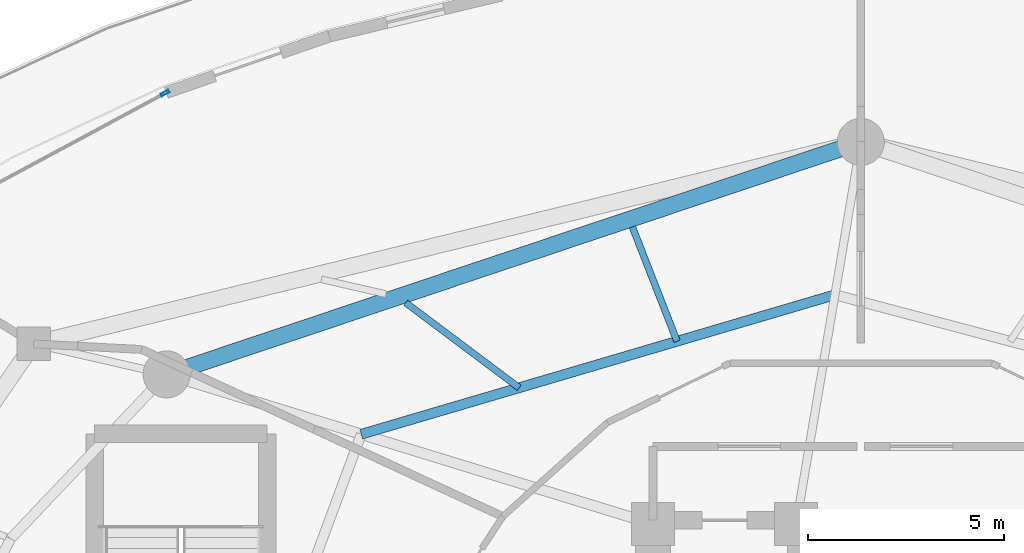
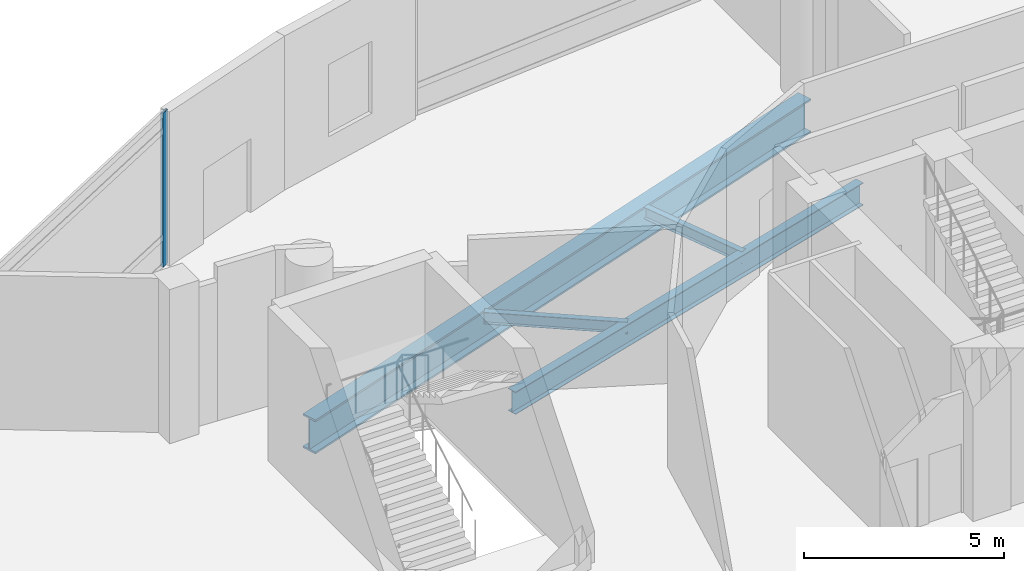
# One storey, part 16 of 36: 4 beams, 1 member, 1 element without a shape of its own.
"""IFC4 building model written with IfcOpenShell, lengths in metres."""

import ifcopenshell
import ifcopenshell.guid

model = None  # the IFC model being written
_history = None  # IfcOwnerHistory: only IFC2X3 demands one
_inside = {}  # id of a spatial element -> (the spatial element, [elements in it])
_under = {}  # id of a project, library or spatial element -> (it, [spatial elements below it])
_declared = {}  # id of a project -> (the project, [libraries it declares])
_typed = {}  # id of a type object -> (the type object, [elements of that type])
_made_of = {}  # id of a material, layer set ... -> (it, [elements and type objects made of it])


def new_model(schema):
    """Start an empty IFC model of exactly this schema.

    Asked for "IFC4X3", IfcOpenShell would pick the latest addendum, in which some entities
    have other attributes; the version numbers below select the first issue.
    IFC2X3 requires an IfcOwnerHistory on every rooted entity: one is made here for all.
    """
    global model, _history
    if schema == "IFC4X3":
        model = ifcopenshell.file(schema_version=(4, 3, 0, 0))
    else:
        model = ifcopenshell.file(schema=schema)
    _inside.clear()
    _under.clear()
    _declared.clear()
    _typed.clear()
    _made_of.clear()
    _history = None
    if model.schema == "IFC2X3":
        org = make("IfcOrganization", Name="unknown")
        user = make(
            "IfcPersonAndOrganization",
            ThePerson=make("IfcPerson", FamilyName="unknown"),
            TheOrganization=org,
        )
        app = make(
            "IfcApplication",
            ApplicationDeveloper=org,
            Version="unknown",
            ApplicationFullName="unknown",
            ApplicationIdentifier="unknown",
        )
        _history = make(
            "IfcOwnerHistory",
            OwningUser=user,
            OwningApplication=app,
            ChangeAction="ADDED",
            CreationDate=0,
        )
    return model


def make(cls, **values):
    """One entity of the class cls with the attributes given. An attribute that is None is left unset."""
    return model.create_entity(
        cls, **{name: value for name, value in values.items() if value is not None}
    )


def rooted(cls, **values):
    """An entity with a GlobalId (a new one), such as an element, a storey or a relation."""
    return make(cls, GlobalId=ifcopenshell.guid.new(), OwnerHistory=_history, **values)


def si_unit(unit_type, name, prefix=None):
    """IfcSIUnit, for example si_unit("LENGTHUNIT", "METRE", prefix="MILLI")."""
    return make("IfcSIUnit", UnitType=unit_type, Prefix=prefix, Name=name)


def assignment(units):
    """IfcUnitAssignment: the units of a project."""
    return None if units is None else make("IfcUnitAssignment", Units=units)


def point(xyz):
    """IfcCartesianPoint."""
    return None if xyz is None else make("IfcCartesianPoint", Coordinates=xyz)


def direction(xyz):
    """IfcDirection."""
    return None if xyz is None else make("IfcDirection", DirectionRatios=xyz)


def frame(location, z_axis=None, x_axis=None):
    """IfcAxis2Placement3D, a coordinate frame: its origin and axes. An axis left out is left unset."""
    return make(
        "IfcAxis2Placement3D",
        Location=point(location),
        Axis=direction(z_axis),
        RefDirection=direction(x_axis),
    )


def frame_2d(location, x_axis=None):
    """IfcAxis2Placement2D, a coordinate frame in the plane: its origin and x axis."""
    return make(
        "IfcAxis2Placement2D", Location=point(location), RefDirection=direction(x_axis)
    )


def origin():
    """The frame at (0, 0, 0) with its axes left unset."""
    return frame((0.0, 0.0, 0.0))


def origin_2d():
    """The frame at (0, 0) in the plane with its x axis left unset."""
    return frame_2d((0.0, 0.0))


def place(relative_to, where):
    """IfcLocalPlacement: puts the frame where relative to a parent placement (None: the world)."""
    return make(
        "IfcLocalPlacement", PlacementRelTo=relative_to, RelativePlacement=where
    )


def context(
    kind, dimensions, precision=None, world=None, true_north=None, identifier=None
):
    """IfcGeometricRepresentationContext, for example the 3D "Model" context."""
    return make(
        "IfcGeometricRepresentationContext",
        ContextIdentifier=identifier,
        ContextType=kind,
        CoordinateSpaceDimension=dimensions,
        Precision=precision,
        WorldCoordinateSystem=world,
        TrueNorth=true_north,
    )


def subcontext(parent, identifier, kind, view, scale=None):
    """IfcGeometricRepresentationSubContext, for example "Body" below "Model"."""
    return make(
        "IfcGeometricRepresentationSubContext",
        ContextIdentifier=identifier,
        ContextType=kind,
        ParentContext=parent,
        TargetScale=scale,
        TargetView=view,
    )


def project(units=None, contexts=None):
    """IfcProject with its units and contexts."""
    return rooted(
        "IfcProject",
        Name="project",
        RepresentationContexts=contexts,
        UnitsInContext=assignment(units),
    )


def spatial(cls, under=None, at=None, **own):
    """A site, building, storey or space (cls), placed at a placement, below another one or the project."""
    s = rooted(cls, ObjectPlacement=at, **own)
    if under is not None:
        _under.setdefault(under.id(), (under, []))[1].append(s)
    return s


def profile(cls, at=None, kind="AREA", **sizes):
    """A parametric profile (cls). Its sizes go by their IFC names, for example OverallWidth=200.0."""
    return make(cls, ProfileType=kind, Position=at, **sizes)


def hollow_rectangle(**sizes):
    """IfcRectangleHollowProfileDef."""
    return profile("IfcRectangleHollowProfileDef", **sizes)


def i_section(**sizes):
    """IfcIShapeProfileDef."""
    return profile("IfcIShapeProfileDef", **sizes)


def extrude(swept, where, along, depth):
    """IfcExtrudedAreaSolid: the profile swept, set in the frame where, extruded along a direction by depth."""
    return make(
        "IfcExtrudedAreaSolid",
        SweptArea=swept,
        Position=where,
        ExtrudedDirection=direction(along),
        Depth=depth,
    )


def shape(context_of_items, identifier, shape_type, items):
    """IfcShapeRepresentation: the items that make up one representation, for example the "Body"."""
    return make(
        "IfcShapeRepresentation",
        ContextOfItems=context_of_items,
        RepresentationIdentifier=identifier,
        RepresentationType=shape_type,
        Items=items,
    )


def material(Name=None, Category=None):
    """IfcMaterial."""
    return make("IfcMaterial", Name=Name, Category=Category)


def layer(
    of_material, thickness, ventilated=None, Name=None, Category=None, Priority=None
):
    """IfcMaterialLayer: one layer of a wall or slab, of a material (None: an air gap)."""
    return make(
        "IfcMaterialLayer",
        Material=of_material,
        LayerThickness=thickness,
        IsVentilated=ventilated,
        Name=Name,
        Category=Category,
        Priority=Priority,
    )


def layer_set(layers, Name=None):
    """IfcMaterialLayerSet."""
    return make("IfcMaterialLayerSet", MaterialLayers=layers, LayerSetName=Name)


def material_profile(
    of_material, cross_section, Name=None, Category=None, Priority=None
):
    """IfcMaterialProfile: a cross section and its material."""
    return make(
        "IfcMaterialProfile",
        Name=Name,
        Material=of_material,
        Profile=cross_section,
        Priority=Priority,
        Category=Category,
    )


def profile_set(profiles, Name=None, composite=None):
    """IfcMaterialProfileSet."""
    return make(
        "IfcMaterialProfileSet",
        Name=Name,
        MaterialProfiles=profiles,
        CompositeProfile=composite,
    )


def made_of(thing, what):
    """Note that an element or type object is made of a material, layer set ...; save() writes the relation."""
    if what is not None:
        _made_of.setdefault(what.id(), (what, []))[1].append(thing)
    return thing


def type_object(cls, material=None, **own):
    """A type object (cls), such as IfcWallType, which elements share."""
    return made_of(rooted(cls, **own), material)


def element(
    cls,
    number,
    at=None,
    inside=None,
    cuts=None,
    type_object=None,
    material=None,
    context=None,
    identifier="Body",
    shape_type=None,
    held_by="IfcProductDefinitionShape",
    body=None,
    shapes=None,
    **own,
):
    """One element of the class cls, such as IfcWall. Its Tag is "e" and its number.

    at: its placement. inside: the storey or other place that contains it. cuts: it is an
    opening in that element (IfcRelVoidsElement). A single representation is given by context,
    identifier, shape_type and body (its items); several are given by shapes. held_by: the class
    of the entity that holds the representations. save() writes the other relations.
    """
    e = rooted(cls, Tag="e%d" % number, ObjectPlacement=at, **own)
    if body is not None:
        shapes = [shape(context, identifier, shape_type, body)]
    if shapes is not None:
        e.Representation = make(held_by, Representations=shapes)
    if inside is not None:
        _inside.setdefault(inside.id(), (inside, []))[1].append(e)
    if cuts is not None:
        rooted(
            "IfcRelVoidsElement", RelatingBuildingElement=cuts, RelatedOpeningElement=e
        )
    if type_object is not None:
        _typed.setdefault(type_object.id(), (type_object, []))[1].append(e)
    return made_of(e, material)


def aggregate(whole, parts):
    """IfcRelAggregates: a whole, such as a stair, and the parts it consists of."""
    return rooted("IfcRelAggregates", RelatingObject=whole, RelatedObjects=parts)


def save(model, path):
    """Write the relations noted so far, then the file.

    IfcRelAggregates (storeys below a building ...), IfcRelContainedInSpatialStructure (elements
    in a storey), IfcRelDefinesByType, IfcRelAssociatesMaterial and IfcRelDeclares: one each for
    every whole, place, type object, material and project.
    """
    for whole, parts in _under.values():
        aggregate(whole, parts)
    for where, things in _inside.values():
        rooted(
            "IfcRelContainedInSpatialStructure",
            RelatedElements=things,
            RelatingStructure=where,
        )
    for kind, things in _typed.values():
        rooted("IfcRelDefinesByType", RelatedObjects=things, RelatingType=kind)
    for what, things in _made_of.values():
        rooted("IfcRelAssociatesMaterial", RelatedObjects=things, RelatingMaterial=what)
    for by, libraries in _declared.values():
        rooted("IfcRelDeclares", RelatingContext=by, RelatedDefinitions=libraries)
    model.write(path)


model = new_model("IFC4")

# Units and contexts
model_context = context("Model", 3, precision=1e-05, world=origin(), true_north=direction((0.0, 1.0)))
body_context = subcontext(model_context, "Body", "Model", "MODEL_VIEW")
ifc_project = project(units=[si_unit("LENGTHUNIT", "METRE"), si_unit("AREAUNIT", "SQUARE_METRE"), si_unit("VOLUMEUNIT", "CUBIC_METRE"), si_unit("PLANEANGLEUNIT", "RADIAN"), si_unit("MASSUNIT", "GRAM", prefix="KILO")], contexts=[model_context])

# Site, building, storey
site_placement = place(None, origin())
site = spatial("IfcSite", under=ifc_project, at=site_placement, CompositionType="ELEMENT")
building_placement = place(site_placement, origin())
building = spatial("IfcBuilding", under=site, at=building_placement, Name="Nuhasar Tower", CompositionType="ELEMENT")
storey_placement = place(building_placement, frame((0.0, 0.0, 11.0)))
storey = spatial("IfcBuildingStorey", under=building, at=storey_placement, Name="L02", CompositionType="ELEMENT", Elevation=11.0)

# Beams
ifc_material_1 = material(Name="Steel S355", Category="steel")
ifc_material_profile_1 = material_profile(ifc_material_1, i_section(OverallWidth=0.25390625, OverallDepth=0.68408203125, WebThickness=0.012451171875, FlangeThickness=0.018798828125, at=origin_2d()), Name="W27X94")
ifc_profile_set_1 = profile_set([ifc_material_profile_1], Name="Steel S355")
beam_type_1 = type_object("IfcBeamType", Name="BM-INRING-W27X94", PredefinedType="BEAM", material=ifc_profile_set_1)
beam_1_placement = place(storey_placement, frame((38.340087890625, 43.14990234375, -0.64208984375), z_axis=(-0.959290190666, -0.28242225495, 0.0), x_axis=(0.28242225495, -0.959290190666, 0.0)))
element("IfcBeam", 1, at=beam_1_placement, inside=storey, type_object=beam_type_1, Name="L02 Inner Header Beam 06", PredefinedType="BEAM", context=body_context, shape_type="SweptSolid", body=[
    extrude(i_section(OverallWidth=0.25390625, OverallDepth=0.68408203125, WebThickness=0.012451171875, FlangeThickness=0.018798828125, at=origin_2d()), origin(), (0.0, 0.0, 1.0), 12.60107421875),
])
ifc_material_profile_2 = material_profile(ifc_material_1, i_section(OverallWidth=0.1708984375, OverallDepth=0.35205078125, WebThickness=0.0068359375, FlangeThickness=0.009765625, at=origin_2d()), Name="W14X30")
ifc_profile_set_2 = profile_set([ifc_material_profile_2], Name="Steel S355")
beam_type_2 = type_object("IfcBeamType", Name="BM-JST-W14X30", PredefinedType="JOIST", material=ifc_profile_set_2)
beam_2_placement = place(storey_placement, frame((34.31103515625, 41.964111328125, -0.47607421875), z_axis=(-0.364040737541, 0.931383026155, 0.0), x_axis=(-0.931383026155, -0.364040737541, 0.0)))
element("IfcBeam", 2, at=beam_2_placement, inside=storey, type_object=beam_type_2, Name="L02 Secondary Floor Joist 11", PredefinedType="JOIST", context=body_context, shape_type="SweptSolid", body=[
    extrude(i_section(OverallWidth=0.1708984375, OverallDepth=0.35205078125, WebThickness=0.0068359375, FlangeThickness=0.009765625, at=origin_2d()), origin(), (0.0, 0.0, 1.0), 3.1318359375),
])
beam_3_placement = place(storey_placement, frame((30.281005859375, 40.777099609375, -0.47607421875), z_axis=(-0.799797251655, 0.600270236015, 0.0), x_axis=(-0.600270236015, -0.799797251655, 0.0)))
element("IfcBeam", 3, at=beam_3_placement, inside=storey, type_object=beam_type_2, Name="L02 Secondary Floor Joist 12", PredefinedType="JOIST", context=body_context, shape_type="SweptSolid", body=[
    extrude(i_section(OverallWidth=0.1708984375, OverallDepth=0.35205078125, WebThickness=0.0068359375, FlangeThickness=0.009765625, at=origin_2d()), origin(), (0.0, 0.0, 1.0), 3.61328125),
])
ifc_material_2 = material(Name="Steel S460", Category="steel")
ifc_material_profile_3 = material_profile(ifc_material_2, i_section(OverallWidth=0.419921875, OverallDepth=1.0400390625, WebThickness=0.031005859375, FlangeThickness=0.055908203125, at=origin_2d()), Name="W40X397")
ifc_profile_set_3 = profile_set([ifc_material_profile_3], Name="Steel S460")
beam_type_3 = type_object("IfcBeamType", Name="BM-XFER-W40X397", PredefinedType="USERDEFINED", material=ifc_profile_set_3)
beam_4_placement = place(storey_placement, frame((39.0, 47.050048828125, -0.820068359375), z_axis=(-0.948251107254, -0.317521397062, 0.0), x_axis=(0.317521397062, -0.948251107254, 0.0)))
element("IfcBeam", 4, at=beam_4_placement, inside=storey, type_object=beam_type_3, Name="L02 Mega-Column Ring Girder 06", ObjectType="GIRDER", PredefinedType="USERDEFINED", context=body_context, shape_type="SweptSolid", body=[
    extrude(i_section(OverallWidth=0.419921875, OverallDepth=1.0400390625, WebThickness=0.031005859375, FlangeThickness=0.055908203125, at=origin_2d()), origin(), (0.0, 0.0, 1.0), 18.679443359375),
])

# Curtain wall, member
ifc_material_3 = material(Name="Aluminium 6063-T6", Category="aluminium")
ifc_layer = layer(ifc_material_3, 0.219970703125)
ifc_layer_set = layer_set([ifc_layer], Name="Aluminium 6063-T6")
curtain_wall_type = type_object("IfcCurtainWallType", Name="CW-PODIUM", PredefinedType="NOTDEFINED", material=ifc_layer_set)
curtain_wall_placement = place(storey_placement, origin())
curtain_wall = element("IfcCurtainWall", 5, at=curtain_wall_placement, inside=storey, type_object=curtain_wall_type, Name="L02 Podium Curtain Wall Bay 09", PredefinedType="NOTDEFINED")
ifc_material_profile_4 = material_profile(ifc_material_3, hollow_rectangle(XDim=0.074951171875, YDim=0.219970703125, WallThickness=0.0048828125, at=origin_2d()), Name="CWM-1")
ifc_profile_set_4 = profile_set([ifc_material_profile_4], Name="Aluminium 6063-T6")
member_type = type_object("IfcMemberType", Name="CW-MUL-S1", PredefinedType="MULLION", material=ifc_profile_set_4)
member_placement = place(storey_placement, frame((21.2470703125, 48.294189453125, 0.0), z_axis=(0.0, 0.0, 1.0), x_axis=(0.473606022453, -0.880736813978, 0.0)))
member = element("IfcMember", 6, at=member_placement, type_object=member_type, Name="CW-P1 mullion 1", PredefinedType="MULLION", context=body_context, shape_type="SweptSolid", body=[
    extrude(hollow_rectangle(XDim=0.074951171875, YDim=0.219970703125, WallThickness=0.0048828125, at=origin_2d()), origin(), (0.0, 0.0, 1.0), 4.699951171875),
])
aggregate(curtain_wall, [member])

save(model, "model.ifc")
